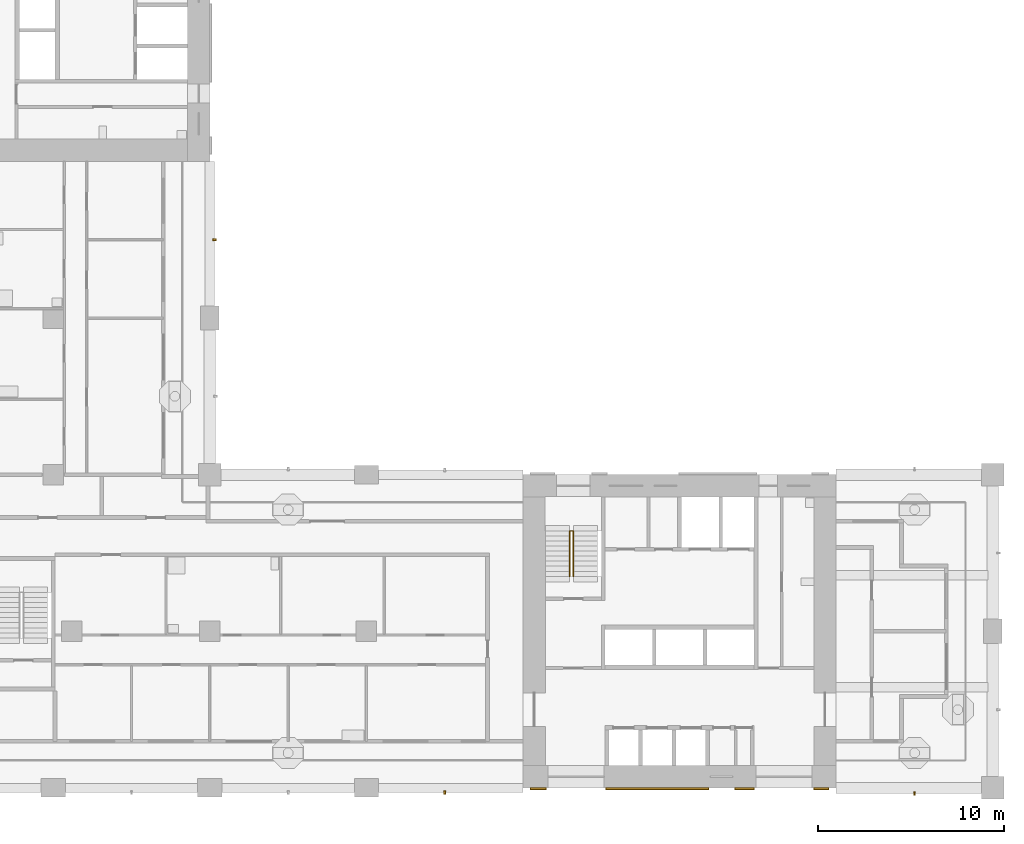
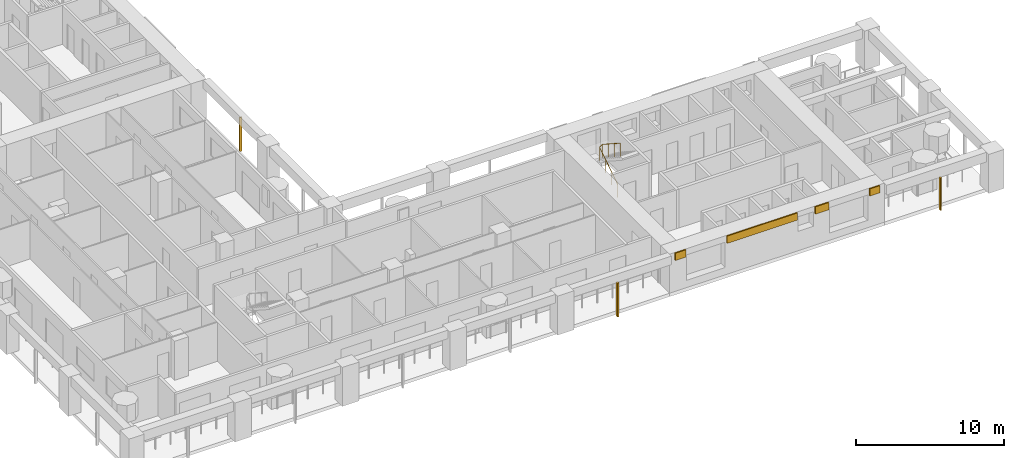
# One storey, part 11 of 18: 7 shading devices, 1 railing.
"""IFC4 building model written with IfcOpenShell, lengths in metres."""

from ifc_helpers import new_model, si_unit, direction, frame, origin, origin_2d, place, context, subcontext, project, spatial, rectangle, circle, extrude, material, layer, layer_set, material_profile, profile_set, type_object, element, save


model = new_model("IFC4")

# Units and contexts
model_context = context("Model", 3, precision=1e-05, world=origin(), true_north=direction((0.0, 1.0)))
body_context = subcontext(model_context, "Body", "Model", "MODEL_VIEW")
ifc_project = project(units=[si_unit("LENGTHUNIT", "METRE"), si_unit("AREAUNIT", "SQUARE_METRE"), si_unit("VOLUMEUNIT", "CUBIC_METRE"), si_unit("PLANEANGLEUNIT", "RADIAN"), si_unit("MASSUNIT", "GRAM", prefix="KILO")], contexts=[model_context])

# Site, building, storey
site_placement = place(None, origin())
site = spatial("IfcSite", under=ifc_project, at=site_placement, CompositionType="ELEMENT")
building_placement = place(site_placement, origin())
building = spatial("IfcBuilding", under=site, at=building_placement, Name="Vermilion Gate Residences", CompositionType="ELEMENT")
storey_placement = place(building_placement, frame((0.0, 0.0, 109.199951171875)))
storey = spatial("IfcBuildingStorey", under=building, at=storey_placement, Name="L27", CompositionType="ELEMENT", Elevation=109.199951171875)

# Railing
ifc_material_1 = material(Name="Steel S355", Category="steel")
railing_type = type_object("IfcRailingType", Name="STAIR GUARD 1100 STEEL", PredefinedType="GUARDRAIL", material=ifc_material_1)
railing_placement = place(storey_placement, frame((44.5, 19.75, 0.175048828125)))
element("IfcRailing", 1, at=railing_placement, inside=storey, type_object=railing_type, Name="Stair well guard STA1-27", PredefinedType="GUARDRAIL", context=body_context, shape_type="SweptSolid", body=[
    extrude(circle(Radius=0.02392578125, at=origin_2d()), frame((0.0, 0.0, 1.076171875), z_axis=(0.0, 0.839153699163, 0.543894354798), x_axis=(-1.0, 0.0, 0.0)), (0.0, 0.0, 1.0), 2.895751953125),
    extrude(circle(Radius=0.02392578125, at=origin_2d()), frame((0.0, 2.429931640625, 2.65087890625), z_axis=(0.752405939678, 0.0, 0.658699705433), x_axis=(0.0, 1.0, 0.0)), (0.0, 0.0, 1.0), 0.265869140625),
    extrude(circle(Radius=0.02392578125, at=origin_2d()), frame((0.199951171875, 2.429931640625, 2.826171875), z_axis=(0.0, -0.839153699163, 0.543894354798), x_axis=(1.0, 0.0, 0.0)), (0.0, 0.0, 1.0), 2.895751953125),
    extrude(circle(Radius=0.02099609375, at=origin_2d()), origin(), (0.0, 0.0, 1.0), 1.052001953125),
    extrude(circle(Radius=0.02099609375, at=origin_2d()), frame((0.0, 0.81005859375, 0.52490234375)), (0.0, 0.0, 1.0), 1.052001953125),
    extrude(circle(Radius=0.02099609375, at=origin_2d()), frame((0.0, 1.619873046875, 1.050048828125)), (0.0, 0.0, 1.0), 1.052001953125),
    extrude(circle(Radius=0.02099609375, at=origin_2d()), frame((0.0, 2.429931640625, 1.574951171875)), (0.0, 0.0, 1.0), 1.052001953125),
    extrude(circle(Radius=0.02099609375, at=origin_2d()), frame((0.199951171875, 2.429931640625, 1.75)), (0.0, 0.0, 1.0), 1.052001953125),
    extrude(circle(Radius=0.02099609375, at=origin_2d()), frame((0.199951171875, 1.619873046875, 2.27490234375)), (0.0, 0.0, 1.0), 1.052001953125),
    extrude(circle(Radius=0.02099609375, at=origin_2d()), frame((0.199951171875, 0.81005859375, 2.800048828125)), (0.0, 0.0, 1.0), 1.052001953125),
    extrude(circle(Radius=0.02099609375, at=origin_2d()), frame((0.199951171875, 0.0, 3.324951171875)), (0.0, 0.0, 1.0), 1.052001953125),
])

# Shading devices
ifc_material_2 = material(Name="Extruded terracotta", Category="masonry")
ifc_material_profile = material_profile(ifc_material_2, rectangle(XDim=0.199951171875, YDim=0.10009765625, at=origin_2d()), Name="BAGUETTE 100 X 200")
ifc_profile_set = profile_set([ifc_material_profile], Name="Extruded terracotta")
shading_device_type_1 = type_object("IfcShadingDeviceType", Name="TERRACOTTA BAGUETTE 100 X 200", PredefinedType="JALOUSIE", material=ifc_profile_set)
shading_device_1_placement = place(storey_placement, frame((37.800048828125, 8.14990234375, -0.280029296875), z_axis=(0.0, 0.0, 1.0), x_axis=(0.0, 1.0, 0.0)))
element("IfcShadingDevice", 2, at=shading_device_1_placement, inside=storey, type_object=shading_device_type_1, Name="BAGUETTE", PredefinedType="JALOUSIE", context=body_context, shape_type="SweptSolid", body=[
    extrude(rectangle(XDim=0.199951171875, YDim=0.10009765625, at=origin_2d()), origin(), (0.0, 0.0, 1.0), 2.800048828125),
])
shading_device_2_placement = place(storey_placement, frame((63.0, 8.10009765625, -0.280029296875), z_axis=(0.0, 0.0, 1.0), x_axis=(0.0, 1.0, 0.0)))
element("IfcShadingDevice", 3, at=shading_device_2_placement, inside=storey, type_object=shading_device_type_1, Name="BAGUETTE", PredefinedType="JALOUSIE", context=body_context, shape_type="SweptSolid", body=[
    extrude(rectangle(XDim=0.199951171875, YDim=0.10009765625, at=origin_2d()), origin(), (0.0, 0.0, 1.0), 2.7001953125),
])
shading_device_3_placement = place(storey_placement, frame((25.449951171875, 37.800048828125, -0.280029296875), z_axis=(0.0, 0.0, 1.0), x_axis=(-1.0, 0.0, 0.0)))
element("IfcShadingDevice", 4, at=shading_device_3_placement, inside=storey, type_object=shading_device_type_1, Name="BAGUETTE", PredefinedType="JALOUSIE", context=body_context, shape_type="SweptSolid", body=[
    extrude(rectangle(XDim=0.199951171875, YDim=0.10009765625, at=origin_2d()), origin(), (0.0, 0.0, 1.0), 2.800048828125),
])
ifc_material_3 = material(Name="Extruded terracotta", Category="masonry")
ifc_layer = layer(ifc_material_3, 0.10009765625)
ifc_layer_set = layer_set([ifc_layer], Name="TERRACOTTA SPANDREL BAND 600 X 100")
shading_device_type_2 = type_object("IfcShadingDeviceType", Name="TERRACOTTA SPANDREL BAND 600 X 100", PredefinedType="USERDEFINED", material=ifc_layer_set)
shading_device_4_placement = place(storey_placement, frame((42.824951171875, 8.35009765625, 2.6201171875), z_axis=(0.0, 0.0, 1.0), x_axis=(1.0, 0.0, 0.0)))
element("IfcShadingDevice", 5, at=shading_device_4_placement, inside=storey, type_object=shading_device_type_2, Name="SPANDREL BAND", ObjectType="BAND", PredefinedType="USERDEFINED", context=body_context, shape_type="SweptSolid", body=[
    extrude(rectangle(XDim=0.85009765625, YDim=0.10009765625, at=origin_2d()), origin(), (0.0, 0.0, 1.0), 0.60009765625),
])
shading_device_5_placement = place(storey_placement, frame((49.199951171875, 8.35009765625, 2.6201171875), z_axis=(0.0, 0.0, 1.0), x_axis=(1.0, 0.0, 0.0)))
element("IfcShadingDevice", 6, at=shading_device_5_placement, inside=storey, type_object=shading_device_type_2, Name="SPANDREL BAND", ObjectType="BAND", PredefinedType="USERDEFINED", context=body_context, shape_type="SweptSolid", body=[
    extrude(rectangle(XDim=5.5, YDim=0.10009765625, at=origin_2d()), origin(), (0.0, 0.0, 1.0), 0.60009765625),
])
shading_device_6_placement = place(storey_placement, frame((53.875, 8.35009765625, 2.6201171875), z_axis=(0.0, 0.0, 1.0), x_axis=(1.0, 0.0, 0.0)))
element("IfcShadingDevice", 7, at=shading_device_6_placement, inside=storey, type_object=shading_device_type_2, Name="SPANDREL BAND", ObjectType="BAND", PredefinedType="USERDEFINED", context=body_context, shape_type="SweptSolid", body=[
    extrude(rectangle(XDim=1.050048828125, YDim=0.10009765625, at=origin_2d()), origin(), (0.0, 0.0, 1.0), 0.60009765625),
])
shading_device_7_placement = place(storey_placement, frame((58.0, 8.35009765625, 2.6201171875), z_axis=(0.0, 0.0, 1.0), x_axis=(1.0, 0.0, 0.0)))
element("IfcShadingDevice", 8, at=shading_device_7_placement, inside=storey, type_object=shading_device_type_2, Name="SPANDREL BAND", ObjectType="BAND", PredefinedType="USERDEFINED", context=body_context, shape_type="SweptSolid", body=[
    extrude(rectangle(XDim=0.800048828125, YDim=0.10009765625, at=origin_2d()), origin(), (0.0, 0.0, 1.0), 0.60009765625),
])

save(model, "model.ifc")
